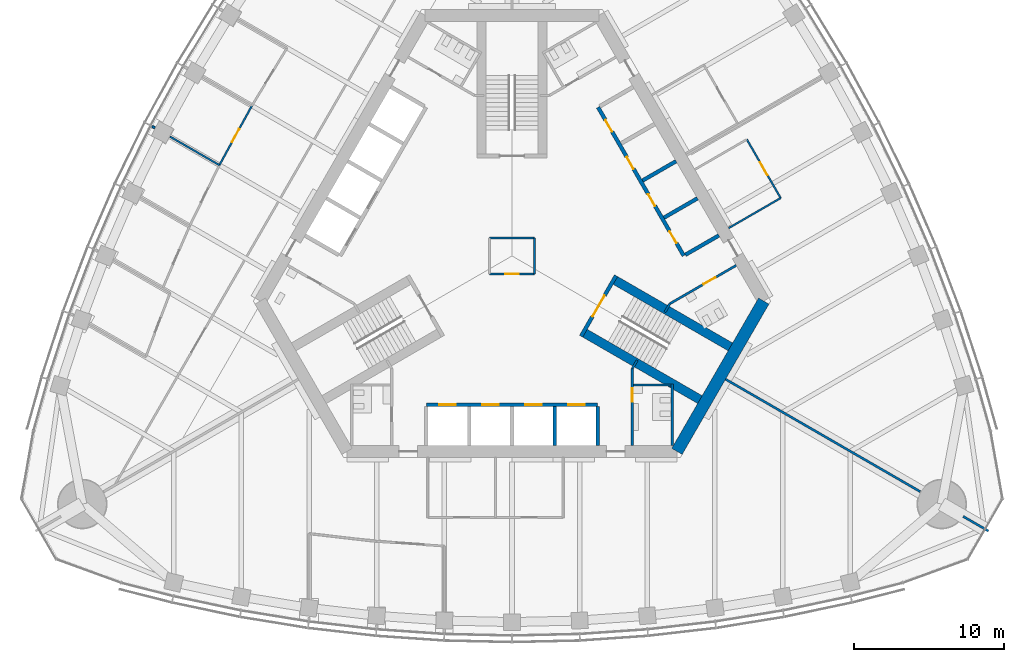
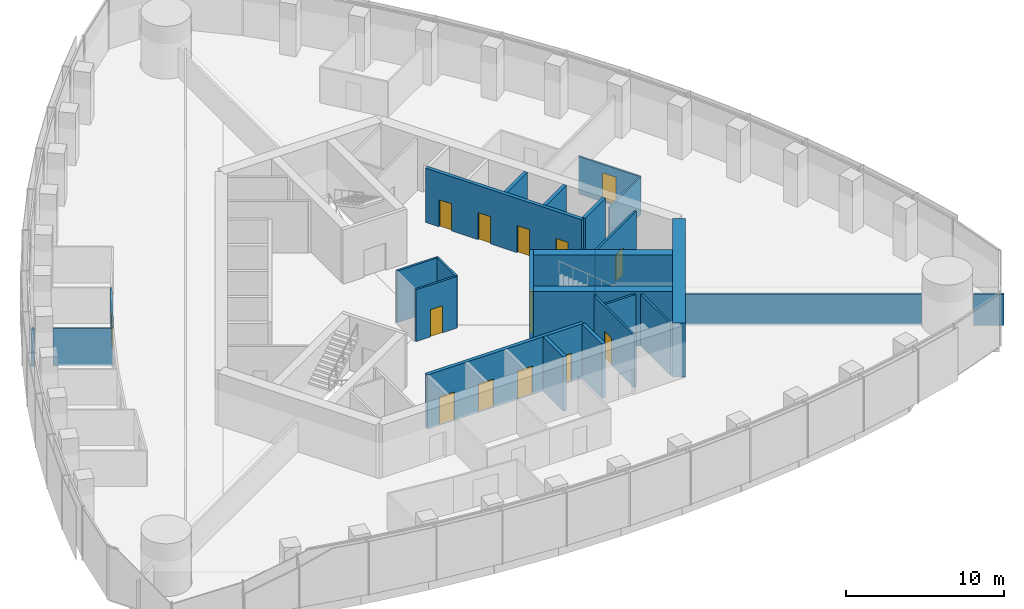
# One storey, part 12 of 19: 27 walls, 14 doors, 14 openings.
"""IFC4 building model written with IfcOpenShell, lengths in metres."""

from ifc_helpers import new_model, si_unit, direction, frame, frame_2d, origin, place, context, subcontext, project, spatial, rectangle, extrude, material, layer, layer_set, type_object, element, fill, save


model = new_model("IFC4")

# Units and contexts
model_context = context("Model", 3, precision=1e-05, world=origin(), true_north=direction((0.0, 1.0)))
body_context = subcontext(model_context, "Body", "Model", "MODEL_VIEW")
ifc_project = project(units=[si_unit("LENGTHUNIT", "METRE"), si_unit("AREAUNIT", "SQUARE_METRE"), si_unit("VOLUMEUNIT", "CUBIC_METRE"), si_unit("PLANEANGLEUNIT", "RADIAN"), si_unit("MASSUNIT", "GRAM", prefix="KILO")], contexts=[model_context])

# Site, building, storey
site_placement = place(None, origin())
site = spatial("IfcSite", under=ifc_project, at=site_placement, CompositionType="ELEMENT")
building_placement = place(site_placement, origin())
building = spatial("IfcBuilding", under=site, at=building_placement, Name="Trefoil Bronze Tower", CompositionType="ELEMENT")
storey_placement = place(building_placement, frame((0.0, 0.0, 206.5)))
storey = spatial("IfcBuildingStorey", under=building, at=storey_placement, Name="L47", CompositionType="ELEMENT", Elevation=206.5)

# Wall
ifc_material_1 = material(Name="Concrete B80", Category="concrete")
ifc_layer_1 = layer(ifc_material_1, 0.800048828125)
ifc_layer_set_1 = layer_set([ifc_layer_1], Name="Core wall 800")
wall_type_1 = type_object("IfcWallType", Name="Core wall 800", PredefinedType="SHEAR", material=ifc_layer_set_1)
wall_1_placement = place(storey_placement, frame((10.9697265625, -13.0, 0.0), z_axis=(0.0, 0.0, 1.0), x_axis=(0.499995765644, 0.866027848477, 0.0)))
element("IfcWall", 1, at=wall_1_placement, inside=storey, type_object=wall_type_1, Name="Core short wall 1 L47", PredefinedType="SHEAR", context=body_context, shape_type="SweptSolid", body=[
    extrude(rectangle(XDim=11.546875, YDim=0.800048828125, at=frame_2d((5.7734375, 0.0))), origin(), (0.0, 0.0, 1.0), 4.199951171875),
])

# Wall, opening, door
ifc_material_2 = material(Name="Glazed partition", Category="glass")
ifc_layer_2 = layer(ifc_material_2, 0.1201171875)
ifc_layer_set_2 = layer_set([ifc_layer_2], Name="Glazed partition 120")
wall_type_2 = type_object("IfcWallType", Name="Glazed partition 120", PredefinedType="PARTITIONING", material=ifc_layer_set_2)
wall_2_placement = place(storey_placement, frame((17.868896484375, 3.850341796875, 0.0), z_axis=(0.0, 0.0, 1.0), x_axis=(-0.500013631625, 0.866017533419, 0.0)))
wall_2 = element("IfcWall", 2, at=wall_2_placement, inside=storey, type_object=wall_type_2, Name="Partition F2 L47", PredefinedType="PARTITIONING", context=body_context, shape_type="SweptSolid", body=[
    extrude(rectangle(XDim=4.499755859375, YDim=0.1201171875, at=frame_2d((2.25, 0.0))), origin(), (0.0, 0.0, 1.0), 2.89990234375),
])
opening_1_placement = place(wall_2_placement, frame((1.75, 0.0, 0.14990234375)))
opening_1 = element("IfcOpeningElement", 3, at=opening_1_placement, cuts=wall_2, Name="Opening D9", PredefinedType="OPENING", context=body_context, shape_type="SweptSolid", body=[
    extrude(rectangle(XDim=1.0, YDim=2.10009765625, at=frame_2d((0.5, 1.050048828125))), frame((0.0, 0.070068359375, 0.0), z_axis=(0.0, -1.0, 0.0), x_axis=(1.0, 0.0, 0.0)), (0.0, 0.0, 1.0), 0.14013671875),
])
ifc_material_3 = material(Name="Glazed timber door", Category="wood")
door_type_1 = type_object("IfcDoorType", Name="Meeting room door 1000", OperationType="SINGLE_SWING_LEFT", PredefinedType="DOOR", material=ifc_material_3)
door_1_placement = place(opening_1_placement, origin())
door_1 = element("IfcDoor", 4, at=door_1_placement, inside=storey, type_object=door_type_1, Name="Project room door F2 L47", OperationType="SINGLE_SWING_RIGHT", OverallHeight=2.10009765625, OverallWidth=1.0, PredefinedType="DOOR", context=body_context, shape_type="SweptSolid", body=[
    extrude(rectangle(XDim=1.0, YDim=2.10009765625, at=frame_2d((0.5, 1.050048828125))), frame((0.0, 0.02490234375, 0.0), z_axis=(0.0, -1.0, 0.0), x_axis=(1.0, 0.0, 0.0)), (0.0, 0.0, 1.0), 0.050048828125),
])
fill(opening_1, door_1)

# Wall
wall_3_placement = place(storey_placement, frame((14.40478515625, 1.850341796875, 0.0), z_axis=(0.0, 0.0, 1.0), x_axis=(0.866026010844, 0.49999894854, 0.0)))
element("IfcWall", 5, at=wall_3_placement, inside=storey, type_object=wall_type_2, Name="Partition F2 L47", PredefinedType="PARTITIONING", context=body_context, shape_type="SweptSolid", body=[
    extrude(rectangle(XDim=4.0, YDim=0.1201171875, at=frame_2d((2.0, 0.0))), origin(), (0.0, 0.0, 1.0), 2.89990234375),
])

# Wall, opening, door
wall_4_placement = place(storey_placement, frame((-17.29931640625, 9.98779296875, 0.0), z_axis=(0.0, 0.0, 1.0), x_axis=(-0.480014565702, -0.877260518155, 0.0)))
wall_4 = element("IfcWall", 6, at=wall_4_placement, inside=storey, type_object=wall_type_2, Name="Partition F3 L47", PredefinedType="PARTITIONING", context=body_context, shape_type="SweptSolid", body=[
    extrude(rectangle(XDim=4.501220703125, YDim=0.1201171875, at=frame_2d((2.25048828125, 0.0))), origin(), (0.0, 0.0, 1.0), 2.89990234375),
])
opening_2_placement = place(wall_4_placement, frame((1.75, 0.0, 0.14990234375)))
opening_2 = element("IfcOpeningElement", 7, at=opening_2_placement, cuts=wall_4, Name="Opening D9", PredefinedType="OPENING", context=body_context, shape_type="SweptSolid", body=[
    extrude(rectangle(XDim=1.0, YDim=2.10009765625, at=frame_2d((0.5, 1.050048828125))), frame((0.0, 0.070068359375, 0.0), z_axis=(0.0, -1.0, 0.0), x_axis=(1.0, 0.0, 0.0)), (0.0, 0.0, 1.0), 0.14013671875),
])
door_2_placement = place(opening_2_placement, frame((1.0, 0.0, 0.0), z_axis=(0.0, 0.0, 1.0), x_axis=(-1.0, 0.0, 0.0)))
door_2 = element("IfcDoor", 8, at=door_2_placement, inside=storey, type_object=door_type_1, Name="Project room door F3 L47", OperationType="SINGLE_SWING_RIGHT", OverallHeight=2.10009765625, OverallWidth=1.0, PredefinedType="DOOR", context=body_context, shape_type="SweptSolid", body=[
    extrude(rectangle(XDim=1.0, YDim=2.10009765625, at=frame_2d((0.5, 1.050048828125))), frame((0.0, 0.02490234375, 0.0), z_axis=(0.0, -1.0, 0.0), x_axis=(1.0, 0.0, 0.0)), (0.0, 0.0, 1.0), 0.050048828125),
])
fill(opening_2, door_2)

# Wall
wall_5_placement = place(storey_placement, frame((-19.4599609375, 6.0390625, 0.0), z_axis=(0.0, 0.0, 1.0), x_axis=(-0.866020532957, 0.500008436426, 0.0)))
element("IfcWall", 9, at=wall_5_placement, inside=storey, type_object=wall_type_2, Name="Partition F3 L47", PredefinedType="PARTITIONING", context=body_context, shape_type="SweptSolid", body=[
    extrude(rectangle(XDim=3.79345703125, YDim=0.1201171875, at=frame_2d((1.896728515625, 0.0))), origin(), (0.0, 0.0, 1.0), 2.89990234375),
])

# Wall, opening, door
ifc_material_4 = material(Name="Gypsum board on steel studs", Category="steel")
ifc_layer_3 = layer(ifc_material_4, 0.14990234375)
ifc_layer_set_3 = layer_set([ifc_layer_3], Name="Partition 150")
wall_type_3 = type_object("IfcWallType", Name="Partition 150", PredefinedType="PARTITIONING", material=ifc_layer_set_3)
wall_6_placement = place(storey_placement, frame((8.0, -7.5, 0.0), z_axis=(0.0, 0.0, 1.0), x_axis=(0.0, -1.0, 0.0)))
wall_6 = element("IfcWall", 10, at=wall_6_placement, inside=storey, type_object=wall_type_3, Name="Passage wall F1+ L47", PredefinedType="PARTITIONING", context=body_context, shape_type="SweptSolid", body=[
    extrude(rectangle(XDim=5.10009765625, YDim=0.14990234375, at=frame_2d((2.550048828125, 0.0))), origin(), (0.0, 0.0, 1.0), 4.0),
])
opening_3_placement = place(wall_6_placement, frame((1.300048828125, 0.0, 0.0)))
opening_3 = element("IfcOpeningElement", 11, at=opening_3_placement, cuts=wall_6, Name="Opening D3", PredefinedType="OPENING", context=body_context, shape_type="SweptSolid", body=[
    extrude(rectangle(XDim=0.89990234375, YDim=2.10009765625, at=frame_2d((0.449951171875, 1.050048828125))), frame((0.0, 0.0849609375, 0.0), z_axis=(0.0, -1.0, 0.0), x_axis=(1.0, 0.0, 0.0)), (0.0, 0.0, 1.0), 0.169921875),
])
ifc_material_5 = material(Name="Timber door", Category="wood")
door_type_2 = type_object("IfcDoorType", Name="WC door 900", OperationType="SINGLE_SWING_LEFT", PredefinedType="DOOR", material=ifc_material_5)
door_3_placement = place(opening_3_placement, origin())
door_3 = element("IfcDoor", 12, at=door_3_placement, inside=storey, type_object=door_type_2, Name="WC (men) door L47", OperationType="SINGLE_SWING_LEFT", OverallHeight=2.10009765625, OverallWidth=0.89990234375, PredefinedType="DOOR", context=body_context, shape_type="SweptSolid", body=[
    extrude(rectangle(XDim=0.89990234375, YDim=2.10009765625, at=frame_2d((0.449951171875, 1.050048828125))), frame((0.0, 0.02490234375, 0.0), z_axis=(0.0, -1.0, 0.0), x_axis=(1.0, 0.0, 0.0)), (0.0, 0.0, 1.0), 0.050048828125),
])
fill(opening_3, door_3)

wall_7_placement = place(storey_placement, frame((10.4951171875, -3.17822265625, 0.0), z_axis=(0.0, 0.0, 1.0), x_axis=(0.86602216432, 0.500005610874, 0.0)))
wall_7 = element("IfcWall", 13, at=wall_7_placement, inside=storey, type_object=wall_type_3, Name="Passage wall F2- L47", PredefinedType="PARTITIONING", context=body_context, shape_type="SweptSolid", body=[
    extrude(rectangle(XDim=5.10009765625, YDim=0.14990234375, at=frame_2d((2.550048828125, 0.0))), origin(), (0.0, 0.0, 1.0), 4.0),
])
opening_4_placement = place(wall_7_placement, frame((2.60009765625, 0.0, 0.0)))
opening_4 = element("IfcOpeningElement", 14, at=opening_4_placement, cuts=wall_7, Name="Opening D3", PredefinedType="OPENING", context=body_context, shape_type="SweptSolid", body=[
    extrude(rectangle(XDim=0.89990234375, YDim=2.10009765625, at=frame_2d((0.449951171875, 1.050048828125))), frame((0.0, 0.0849609375, 0.0), z_axis=(0.0, -1.0, 0.0), x_axis=(1.0, 0.0, 0.0)), (0.0, 0.0, 1.0), 0.169921875),
])
door_4_placement = place(opening_4_placement, frame((0.89990234375, 0.0, 0.0), z_axis=(0.0, 0.0, 1.0), x_axis=(-1.0, 0.0, 0.0)))
door_4 = element("IfcDoor", 15, at=door_4_placement, inside=storey, type_object=door_type_2, Name="WC (women) door L47", OperationType="SINGLE_SWING_LEFT", OverallHeight=2.10009765625, OverallWidth=0.89990234375, PredefinedType="DOOR", context=body_context, shape_type="SweptSolid", body=[
    extrude(rectangle(XDim=0.89990234375, YDim=2.10009765625, at=frame_2d((0.449951171875, 1.050048828125))), frame((0.0, 0.02490234375, 0.0), z_axis=(0.0, -1.0, 0.0), x_axis=(1.0, 0.0, 0.0)), (0.0, 0.0, 1.0), 0.050048828125),
])
fill(opening_4, door_4)

# Walls
for number, where, z_axis, x_axis, name in (
    (16, (8.0, -7.5, 0.0), (0.0, 0.0, 1.0), (0.499842556608, 0.866116284689, 0.0), "WC wall ST1-1 L47"),
    (17, (10.4951171875, -3.17822265625, 0.0), (0.0, 0.0, 1.0), (-0.499842556608, -0.866116284689, 0.0), "WC wall ST1+1 L47"),
):
    element("IfcWall", number, at=place(storey_placement, frame(where, z_axis=z_axis, x_axis=x_axis)), inside=storey, type_object=wall_type_3, Name=name, PredefinedType="PARTITIONING", context=body_context, shape_type="SweptSolid", body=[
        extrude(rectangle(XDim=0.645263671875, YDim=0.14990234375, at=frame_2d((0.32275390625, 0.0))), origin(), (0.0, 0.0, 1.0), 4.0),
    ])
wall_8_placement = place(storey_placement, frame((10.659912109375, -8.5, 0.0), z_axis=(0.0, 0.0, 1.0), x_axis=(0.0, -1.0, 0.0)))
element("IfcWall", 18, at=wall_8_placement, inside=storey, type_object=wall_type_3, Name="WC partition WC (men) L47", PredefinedType="PARTITIONING", context=body_context, shape_type="SweptSolid", body=[
    extrude(rectangle(XDim=4.10009765625, YDim=0.14990234375, at=frame_2d((2.050048828125, 0.0))), origin(), (0.0, 0.0, 1.0), 4.0),
])
wall_9_placement = place(storey_placement, frame((8.074951171875, -8.574951171875, 0.0), z_axis=(0.0, 0.0, 1.0), x_axis=(1.0, 0.0, 0.0)))
element("IfcWall", 19, at=wall_9_placement, inside=storey, type_object=wall_type_3, Name="WC partition WC (men) L47", PredefinedType="PARTITIONING", context=body_context, shape_type="SweptSolid", body=[
    extrude(rectangle(XDim=2.510009765625, YDim=0.14990234375, at=frame_2d((1.2548828125, 0.0))), origin(), (0.0, 0.0, 1.0), 4.0),
])
wall_10_placement = place(storey_placement, frame((-23.749267578125, 8.515380859375, 0.0), z_axis=(0.0, 0.0, 1.0), x_axis=(-0.865810949009, 0.500371262739, 0.0)))
element("IfcWall", 20, at=wall_10_placement, inside=storey, type_object=wall_type_3, Name="Partition F3 L47", PredefinedType="PARTITIONING", context=body_context, shape_type="SweptSolid", body=[
    extrude(rectangle(XDim=0.217041015625, YDim=0.14990234375, at=frame_2d((0.1083984375, 0.0))), origin(), (0.0, 0.0, 1.0), 2.89990234375),
])
ifc_material_6 = material(Name="Gypsum board on steel studs", Category="steel")
ifc_layer_4 = layer(ifc_material_6, 0.14990234375)
ifc_layer_set_4 = layer_set([ifc_layer_4], Name="Party wall 150")
wall_type_4 = type_object("IfcWallType", Name="Party wall 150", PredefinedType="PARTITIONING", material=ifc_layer_set_4)
wall_11_placement = place(storey_placement, frame((14.202880859375, -8.199951171875, 0.0), z_axis=(0.0, 0.0, 1.0), x_axis=(0.866021600284, -0.500006587798, 0.0)))
element("IfcWall", 21, at=wall_11_placement, inside=storey, type_object=wall_type_4, Name="Party wall K1 L47", PredefinedType="PARTITIONING", context=body_context, shape_type="SweptSolid", body=[
    extrude(rectangle(XDim=14.949951171875, YDim=0.14990234375, at=frame_2d((7.47509765625, 0.0))), origin(), (0.0, 0.0, 1.0), 2.39990234375),
])
wall_12_placement = place(storey_placement, frame((30.0078125, -17.324951171875, 0.0), z_axis=(0.0, 0.0, 1.0), x_axis=(0.866013246922, -0.500021055713, 0.0)))
element("IfcWall", 22, at=wall_12_placement, inside=storey, type_object=wall_type_4, Name="Party wall K1 L47", PredefinedType="PARTITIONING", context=body_context, shape_type="SweptSolid", body=[
    extrude(rectangle(XDim=1.9345703125, YDim=0.14990234375, at=frame_2d((0.96728515625, 0.0))), origin(), (0.0, 0.0, 1.0), 2.39990234375),
])

# Wall, opening, door
ifc_material_7 = material(Name="Gypsum board on steel studs", Category="steel")
ifc_layer_5 = layer(ifc_material_7, 0.14990234375)
ifc_layer_set_5 = layer_set([ifc_layer_5], Name="Riser wall 150")
wall_type_5 = type_object("IfcWallType", Name="Riser wall 150", PredefinedType="PARTITIONING", material=ifc_layer_set_5)
wall_13_placement = place(storey_placement, frame((-1.5, -1.199951171875, 0.0), z_axis=(0.0, 0.0, 1.0), x_axis=(1.0, 0.0, 0.0)))
wall_13 = element("IfcWall", 23, at=wall_13_placement, inside=storey, type_object=wall_type_5, Name="Riser wall L47", PredefinedType="PARTITIONING", context=body_context, shape_type="SweptSolid", body=[
    extrude(rectangle(XDim=3.0, YDim=0.14990234375, at=frame_2d((1.5, 0.0))), origin(), (0.0, 0.0, 1.0), 4.0),
])
opening_5_placement = place(wall_13_placement, frame((1.050048828125, 0.0, 0.0)))
opening_5 = element("IfcOpeningElement", 24, at=opening_5_placement, cuts=wall_13, Name="Opening D4", PredefinedType="OPENING", context=body_context, shape_type="SweptSolid", body=[
    extrude(rectangle(XDim=0.89990234375, YDim=2.10009765625, at=frame_2d((0.449951171875, 1.050048828125))), frame((0.0, 0.0849609375, 0.0), z_axis=(0.0, -1.0, 0.0), x_axis=(1.0, 0.0, 0.0)), (0.0, 0.0, 1.0), 0.169921875),
])
ifc_material_8 = material(Name="Steel door", Category="steel")
door_type_3 = type_object("IfcDoorType", Name="Riser door 900", OperationType="SINGLE_SWING_LEFT", PredefinedType="DOOR", material=ifc_material_8)
door_5_placement = place(opening_5_placement, frame((0.89990234375, 0.0, 0.0), z_axis=(0.0, 0.0, 1.0), x_axis=(-1.0, 0.0, 0.0)))
door_5 = element("IfcDoor", 25, at=door_5_placement, inside=storey, type_object=door_type_3, Name="Riser door L47", OperationType="SINGLE_SWING_LEFT", OverallHeight=2.10009765625, OverallWidth=0.89990234375, PredefinedType="DOOR", context=body_context, shape_type="SweptSolid", body=[
    extrude(rectangle(XDim=0.89990234375, YDim=2.10009765625, at=frame_2d((0.449951171875, 1.050048828125))), frame((0.0, 0.02490234375, 0.0), z_axis=(0.0, -1.0, 0.0), x_axis=(1.0, 0.0, 0.0)), (0.0, 0.0, 1.0), 0.050048828125),
])
fill(opening_5, door_5)

# Walls
wall_14_placement = place(storey_placement, frame((1.5, -1.199951171875, 0.0), z_axis=(0.0, 0.0, 1.0), x_axis=(0.0, 1.0, 0.0)))
element("IfcWall", 26, at=wall_14_placement, inside=storey, type_object=wall_type_5, Name="Riser wall L47", PredefinedType="PARTITIONING", context=body_context, shape_type="SweptSolid", body=[
    extrude(rectangle(XDim=2.39990234375, YDim=0.14990234375, at=frame_2d((1.199951171875, 0.0))), origin(), (0.0, 0.0, 1.0), 4.0),
])
wall_15_placement = place(storey_placement, frame((1.5, 1.199951171875, 0.0), z_axis=(0.0, 0.0, 1.0), x_axis=(-1.0, 0.0, 0.0)))
element("IfcWall", 27, at=wall_15_placement, inside=storey, type_object=wall_type_5, Name="Riser wall L47", PredefinedType="PARTITIONING", context=body_context, shape_type="SweptSolid", body=[
    extrude(rectangle(XDim=3.0, YDim=0.14990234375, at=frame_2d((1.5, 0.0))), origin(), (0.0, 0.0, 1.0), 4.0),
])

# Wall, openings, doors
ifc_material_9 = material(Name="Concrete B80", Category="concrete")
ifc_layer_6 = layer(ifc_material_9, 0.25)
ifc_layer_set_6 = layer_set([ifc_layer_6], Name="Shaft wall 250")
wall_type_6 = type_object("IfcWallType", Name="Shaft wall 250", PredefinedType="SHEAR", material=ifc_layer_set_6)
wall_16_placement = place(storey_placement, frame((-5.699951171875, -9.89990234375, 0.0), z_axis=(0.0, 0.0, 1.0), x_axis=(1.0, 0.0, 0.0)))
wall_16 = element("IfcWall", 28, at=wall_16_placement, inside=storey, type_object=wall_type_6, Name="Lift shaft front wall A L47", PredefinedType="SHEAR", context=body_context, shape_type="SweptSolid", body=[
    extrude(rectangle(XDim=11.39990234375, YDim=0.25, at=frame_2d((5.699951171875, 0.0))), origin(), (0.0, 0.0, 1.0), 4.199951171875),
])
opening_6_placement = place(wall_16_placement, frame((0.875, 0.0, 0.0)))
opening_6 = element("IfcOpeningElement", 29, at=opening_6_placement, cuts=wall_16, Name="Opening LD-P31", PredefinedType="OPENING", context=body_context, shape_type="SweptSolid", body=[
    extrude(rectangle(XDim=1.10009765625, YDim=2.199951171875, at=frame_2d((0.550048828125, 1.10009765625))), frame((0.0, 0.135009765625, 0.0), z_axis=(0.0, -1.0, 0.0), x_axis=(1.0, 0.0, 0.0)), (0.0, 0.0, 1.0), 0.27001953125),
])
opening_7_placement = place(wall_16_placement, frame((3.72509765625, 0.0, 0.0)))
opening_7 = element("IfcOpeningElement", 30, at=opening_7_placement, cuts=wall_16, Name="Opening LD-P32", PredefinedType="OPENING", context=body_context, shape_type="SweptSolid", body=[
    extrude(rectangle(XDim=1.10009765625, YDim=2.199951171875, at=frame_2d((0.550048828125, 1.10009765625))), frame((0.0, 0.135009765625, 0.0), z_axis=(0.0, -1.0, 0.0), x_axis=(1.0, 0.0, 0.0)), (0.0, 0.0, 1.0), 0.27001953125),
])
opening_8_placement = place(wall_16_placement, frame((6.574951171875, 0.0, 0.0)))
opening_8 = element("IfcOpeningElement", 31, at=opening_8_placement, cuts=wall_16, Name="Opening LD-P33", PredefinedType="OPENING", context=body_context, shape_type="SweptSolid", body=[
    extrude(rectangle(XDim=1.10009765625, YDim=2.199951171875, at=frame_2d((0.550048828125, 1.10009765625))), frame((0.0, 0.135009765625, 0.0), z_axis=(0.0, -1.0, 0.0), x_axis=(1.0, 0.0, 0.0)), (0.0, 0.0, 1.0), 0.27001953125),
])
opening_9_placement = place(wall_16_placement, frame((9.425048828125, 0.0, 0.0)))
opening_9 = element("IfcOpeningElement", 32, at=opening_9_placement, cuts=wall_16, Name="Opening LD-P34", PredefinedType="OPENING", context=body_context, shape_type="SweptSolid", body=[
    extrude(rectangle(XDim=1.10009765625, YDim=2.199951171875, at=frame_2d((0.550048828125, 1.10009765625))), frame((0.0, 0.135009765625, 0.0), z_axis=(0.0, -1.0, 0.0), x_axis=(1.0, 0.0, 0.0)), (0.0, 0.0, 1.0), 0.27001953125),
])
ifc_material_10 = material(Name="Steel door", Category="steel")
door_type_4 = type_object("IfcDoorType", Name="Lift landing door 1100", OperationType="DOUBLE_DOOR_SLIDING", PredefinedType="DOOR", material=ifc_material_10)
door_6_placement = place(opening_6_placement, origin())
door_6 = element("IfcDoor", 33, at=door_6_placement, inside=storey, type_object=door_type_4, Name="Lift P31 landing door L47", OperationType="DOUBLE_DOOR_SLIDING", OverallHeight=2.199951171875, OverallWidth=1.10009765625, PredefinedType="DOOR", context=body_context, shape_type="SweptSolid", body=[
    extrude(rectangle(XDim=1.10009765625, YDim=2.199951171875, at=frame_2d((0.550048828125, 1.10009765625))), frame((0.0, 0.02490234375, 0.0), z_axis=(0.0, -1.0, 0.0), x_axis=(1.0, 0.0, 0.0)), (0.0, 0.0, 1.0), 0.050048828125),
])
fill(opening_6, door_6)
door_7_placement = place(opening_7_placement, origin())
door_7 = element("IfcDoor", 34, at=door_7_placement, inside=storey, type_object=door_type_4, Name="Lift P32 landing door L47", OperationType="DOUBLE_DOOR_SLIDING", OverallHeight=2.199951171875, OverallWidth=1.10009765625, PredefinedType="DOOR", context=body_context, shape_type="SweptSolid", body=[
    extrude(rectangle(XDim=1.10009765625, YDim=2.199951171875, at=frame_2d((0.550048828125, 1.10009765625))), frame((0.0, 0.02490234375, 0.0), z_axis=(0.0, -1.0, 0.0), x_axis=(1.0, 0.0, 0.0)), (0.0, 0.0, 1.0), 0.050048828125),
])
fill(opening_7, door_7)
door_8_placement = place(opening_8_placement, origin())
door_8 = element("IfcDoor", 35, at=door_8_placement, inside=storey, type_object=door_type_4, Name="Lift P33 landing door L47", OperationType="DOUBLE_DOOR_SLIDING", OverallHeight=2.199951171875, OverallWidth=1.10009765625, PredefinedType="DOOR", context=body_context, shape_type="SweptSolid", body=[
    extrude(rectangle(XDim=1.10009765625, YDim=2.199951171875, at=frame_2d((0.550048828125, 1.10009765625))), frame((0.0, 0.02490234375, 0.0), z_axis=(0.0, -1.0, 0.0), x_axis=(1.0, 0.0, 0.0)), (0.0, 0.0, 1.0), 0.050048828125),
])
fill(opening_8, door_8)
door_9_placement = place(opening_9_placement, origin())
door_9 = element("IfcDoor", 36, at=door_9_placement, inside=storey, type_object=door_type_4, Name="Lift P34 landing door L47", OperationType="DOUBLE_DOOR_SLIDING", OverallHeight=2.199951171875, OverallWidth=1.10009765625, PredefinedType="DOOR", context=body_context, shape_type="SweptSolid", body=[
    extrude(rectangle(XDim=1.10009765625, YDim=2.199951171875, at=frame_2d((0.550048828125, 1.10009765625))), frame((0.0, 0.02490234375, 0.0), z_axis=(0.0, -1.0, 0.0), x_axis=(1.0, 0.0, 0.0)), (0.0, 0.0, 1.0), 0.050048828125),
])
fill(opening_9, door_9)

# Walls
for number, where, z_axis, x_axis, name in (
    (37, (2.85009765625, -10.02490234375, 0.0), (0.0, 0.0, 1.0), (0.0, -1.0, 0.0), "Lift shaft side wall A3 L47"),
    (38, (5.699951171875, -10.02490234375, 0.0), (0.0, 0.0, 1.0), (0.0, -1.0, 0.0), "Lift shaft side wall A4 L47"),
):
    element("IfcWall", number, at=place(storey_placement, frame(where, z_axis=z_axis, x_axis=x_axis)), inside=storey, type_object=wall_type_6, Name=name, PredefinedType="SHEAR", context=body_context, shape_type="SweptSolid", body=[
        extrude(rectangle(XDim=2.5751953125, YDim=0.25, at=frame_2d((1.28759765625, 0.0))), origin(), (0.0, 0.0, 1.0), 4.199951171875),
    ])

# Wall, openings, doors
wall_17_placement = place(storey_placement, frame((11.423583984375, 0.013671875, 0.0), z_axis=(0.0, 0.0, 1.0), x_axis=(-0.500001763848, 0.866024385424, 0.0)))
wall_17 = element("IfcWall", 39, at=wall_17_placement, inside=storey, type_object=wall_type_6, Name="Lift shaft front wall B L47", PredefinedType="SHEAR", context=body_context, shape_type="SweptSolid", body=[
    extrude(rectangle(XDim=11.39990234375, YDim=0.25, at=frame_2d((5.699951171875, 0.0))), origin(), (0.0, 0.0, 1.0), 4.199951171875),
])
opening_10_placement = place(wall_17_placement, frame((0.97509765625, 0.0, 0.0)))
opening_10 = element("IfcOpeningElement", 40, at=opening_10_placement, cuts=wall_17, Name="Opening D12", PredefinedType="OPENING", context=body_context, shape_type="SweptSolid", body=[
    extrude(rectangle(XDim=0.89990234375, YDim=2.10009765625, at=frame_2d((0.449951171875, 1.050048828125))), frame((0.0, 0.135009765625, 0.0), z_axis=(0.0, -1.0, 0.0), x_axis=(1.0, 0.0, 0.0)), (0.0, 0.0, 1.0), 0.27001953125),
])
opening_11_placement = place(wall_17_placement, frame((3.824951171875, 0.0, 0.0)))
opening_11 = element("IfcOpeningElement", 41, at=opening_11_placement, cuts=wall_17, Name="Opening D12", PredefinedType="OPENING", context=body_context, shape_type="SweptSolid", body=[
    extrude(rectangle(XDim=0.89990234375, YDim=2.10009765625, at=frame_2d((0.449951171875, 1.050048828125))), frame((0.0, 0.135009765625, 0.0), z_axis=(0.0, -1.0, 0.0), x_axis=(1.0, 0.0, 0.0)), (0.0, 0.0, 1.0), 0.27001953125),
])
opening_12_placement = place(wall_17_placement, frame((6.675048828125, 0.0, 0.0)))
opening_12 = element("IfcOpeningElement", 42, at=opening_12_placement, cuts=wall_17, Name="Opening D12", PredefinedType="OPENING", context=body_context, shape_type="SweptSolid", body=[
    extrude(rectangle(XDim=0.89990234375, YDim=2.10009765625, at=frame_2d((0.449951171875, 1.050048828125))), frame((0.0, 0.135009765625, 0.0), z_axis=(0.0, -1.0, 0.0), x_axis=(1.0, 0.0, 0.0)), (0.0, 0.0, 1.0), 0.27001953125),
])
opening_13_placement = place(wall_17_placement, frame((9.52490234375, 0.0, 0.0)))
opening_13 = element("IfcOpeningElement", 43, at=opening_13_placement, cuts=wall_17, Name="Opening D12", PredefinedType="OPENING", context=body_context, shape_type="SweptSolid", body=[
    extrude(rectangle(XDim=0.89990234375, YDim=2.10009765625, at=frame_2d((0.449951171875, 1.050048828125))), frame((0.0, 0.135009765625, 0.0), z_axis=(0.0, -1.0, 0.0), x_axis=(1.0, 0.0, 0.0)), (0.0, 0.0, 1.0), 0.27001953125),
])
ifc_material_11 = material(Name="Steel door", Category="steel")
door_type_5 = type_object("IfcDoorType", Name="Shaft room door 900", OperationType="SINGLE_SWING_LEFT", PredefinedType="DOOR", material=ifc_material_11)
door_10_placement = place(opening_10_placement, frame((0.89990234375, 0.0, 0.0), z_axis=(0.0, 0.0, 1.0), x_axis=(-1.0, 0.0, 0.0)))
door_10 = element("IfcDoor", 44, at=door_10_placement, inside=storey, type_object=door_type_5, Name="Shaft room door B1 L47", OperationType="SINGLE_SWING_LEFT", OverallHeight=2.10009765625, OverallWidth=0.89990234375, PredefinedType="DOOR", context=body_context, shape_type="SweptSolid", body=[
    extrude(rectangle(XDim=0.89990234375, YDim=2.10009765625, at=frame_2d((0.449951171875, 1.050048828125))), frame((0.0, 0.02490234375, 0.0), z_axis=(0.0, -1.0, 0.0), x_axis=(1.0, 0.0, 0.0)), (0.0, 0.0, 1.0), 0.050048828125),
])
fill(opening_10, door_10)
door_11_placement = place(opening_11_placement, frame((0.89990234375, 0.0, 0.0), z_axis=(0.0, 0.0, 1.0), x_axis=(-1.0, 0.0, 0.0)))
door_11 = element("IfcDoor", 45, at=door_11_placement, inside=storey, type_object=door_type_5, Name="Shaft room door B2 L47", OperationType="SINGLE_SWING_RIGHT", OverallHeight=2.10009765625, OverallWidth=0.89990234375, PredefinedType="DOOR", context=body_context, shape_type="SweptSolid", body=[
    extrude(rectangle(XDim=0.89990234375, YDim=2.10009765625, at=frame_2d((0.449951171875, 1.050048828125))), frame((0.0, 0.02490234375, 0.0), z_axis=(0.0, -1.0, 0.0), x_axis=(1.0, 0.0, 0.0)), (0.0, 0.0, 1.0), 0.050048828125),
])
fill(opening_11, door_11)
door_12_placement = place(opening_12_placement, frame((0.89990234375, 0.0, 0.0), z_axis=(0.0, 0.0, 1.0), x_axis=(-1.0, 0.0, 0.0)))
door_12 = element("IfcDoor", 46, at=door_12_placement, inside=storey, type_object=door_type_5, Name="Shaft room door B3 L47", OperationType="SINGLE_SWING_RIGHT", OverallHeight=2.10009765625, OverallWidth=0.89990234375, PredefinedType="DOOR", context=body_context, shape_type="SweptSolid", body=[
    extrude(rectangle(XDim=0.89990234375, YDim=2.10009765625, at=frame_2d((0.449951171875, 1.050048828125))), frame((0.0, 0.02490234375, 0.0), z_axis=(0.0, -1.0, 0.0), x_axis=(1.0, 0.0, 0.0)), (0.0, 0.0, 1.0), 0.050048828125),
])
fill(opening_12, door_12)
door_13_placement = place(opening_13_placement, frame((0.89990234375, 0.0, 0.0), z_axis=(0.0, 0.0, 1.0), x_axis=(-1.0, 0.0, 0.0)))
door_13 = element("IfcDoor", 47, at=door_13_placement, inside=storey, type_object=door_type_5, Name="Shaft room door B4 L47", OperationType="SINGLE_SWING_RIGHT", OverallHeight=2.10009765625, OverallWidth=0.89990234375, PredefinedType="DOOR", context=body_context, shape_type="SweptSolid", body=[
    extrude(rectangle(XDim=0.89990234375, YDim=2.10009765625, at=frame_2d((0.449951171875, 1.050048828125))), frame((0.0, 0.02490234375, 0.0), z_axis=(0.0, -1.0, 0.0), x_axis=(1.0, 0.0, 0.0)), (0.0, 0.0, 1.0), 0.050048828125),
])
fill(opening_13, door_13)

# Walls
for number, where, z_axis, x_axis, name in (
    (48, (11.531982421875, 0.076171875, 0.0), (0.0, 0.0, 1.0), (0.866005588531, 0.500034319456, 0.0), "Lift shaft side wall B0 L47"),
    (49, (10.10693359375, 2.54443359375, 0.0), (0.0, 0.0, 1.0), (0.866046643894, 0.499963209246, 0.0), "Lift shaft side wall B1 L47"),
    (50, (8.681884765625, 5.012451171875, 0.0), (0.0, 0.0, 1.0), (0.866005588531, 0.500034319456, 0.0), "Lift shaft side wall B2 L47"),
):
    element("IfcWall", number, at=place(storey_placement, frame(where, z_axis=z_axis, x_axis=x_axis)), inside=storey, type_object=wall_type_6, Name=name, PredefinedType="SHEAR", context=body_context, shape_type="SweptSolid", body=[
        extrude(rectangle(XDim=2.574951171875, YDim=0.25, at=frame_2d((1.28759765625, 0.0))), origin(), (0.0, 0.0, 1.0), 4.199951171875),
    ])

# Wall, opening, door
wall_18_placement = place(storey_placement, frame((4.5966796875, -5.338623046875, 0.0), z_axis=(0.0, 0.0, 1.0), x_axis=(0.499984536904, 0.866034331223, 0.0)))
wall_18 = element("IfcWall", 51, at=wall_18_placement, inside=storey, type_object=wall_type_6, Name="Stair end wall ST1 L47", PredefinedType="SHEAR", context=body_context, shape_type="SweptSolid", body=[
    extrude(rectangle(XDim=4.650146484375, YDim=0.25, at=frame_2d((2.3251953125, 0.0))), origin(), (0.0, 0.0, 1.0), 4.199951171875),
])
opening_14_placement = place(wall_18_placement, frame((1.52490234375, 0.0, 0.0)))
opening_14 = element("IfcOpeningElement", 52, at=opening_14_placement, cuts=wall_18, Name="Opening D1", PredefinedType="OPENING", context=body_context, shape_type="SweptSolid", body=[
    extrude(rectangle(XDim=1.60009765625, YDim=2.10009765625, at=frame_2d((0.800048828125, 1.050048828125))), frame((0.0, 0.135009765625, 0.0), z_axis=(0.0, -1.0, 0.0), x_axis=(1.0, 0.0, 0.0)), (0.0, 0.0, 1.0), 0.27001953125),
])
ifc_material_12 = material(Name="Steel door", Category="steel")
door_type_6 = type_object("IfcDoorType", Name="Stair door 1600", OperationType="DOUBLE_DOOR_SINGLE_SWING", PredefinedType="DOOR", material=ifc_material_12)
door_14_placement = place(opening_14_placement, frame((1.60009765625, 0.0, 0.0), z_axis=(0.0, 0.0, 1.0), x_axis=(-1.0, 0.0, 0.0)))
door_14 = element("IfcDoor", 53, at=door_14_placement, inside=storey, type_object=door_type_6, Name="Stair door ST1 L47", OperationType="DOUBLE_DOOR_SINGLE_SWING", OverallHeight=2.10009765625, OverallWidth=1.60009765625, PredefinedType="DOOR", context=body_context, shape_type="SweptSolid", body=[
    extrude(rectangle(XDim=1.60009765625, YDim=2.10009765625, at=frame_2d((0.800048828125, 1.050048828125))), frame((0.0, 0.02490234375, 0.0), z_axis=(0.0, -1.0, 0.0), x_axis=(1.0, 0.0, 0.0)), (0.0, 0.0, 1.0), 0.050048828125),
])
fill(opening_14, door_14)

# Walls
ifc_material_13 = material(Name="Concrete B80", Category="concrete")
ifc_layer_7 = layer(ifc_material_13, 0.60009765625)
ifc_layer_set_7 = layer_set([ifc_layer_7], Name="Stair wall 600")
wall_type_7 = type_object("IfcWallType", Name="Stair wall 600", PredefinedType="SHEAR", material=ifc_layer_set_7)
for number, where, z_axis, x_axis, name in (
    (54, (4.638427734375, -5.01611328125, 0.0), (0.0, 0.0, 1.0), (0.866019375473, -0.500010441196, 0.0), "Stair wall ST1 L47"),
    (55, (6.663330078125, -1.5087890625, 0.0), (0.0, 0.0, 1.0), (0.866019375473, -0.500010441196, 0.0), "Stair wall ST1 L47"),
):
    element("IfcWall", number, at=place(storey_placement, frame(where, z_axis=z_axis, x_axis=x_axis)), inside=storey, type_object=wall_type_7, Name=name, PredefinedType="SHEAR", context=body_context, shape_type="SweptSolid", body=[
        extrude(rectangle(XDim=9.074951171875, YDim=0.60009765625, at=frame_2d((4.53759765625, 0.0))), origin(), (0.0, 0.0, 1.0), 4.199951171875),
    ])

save(model, "model.ifc")
